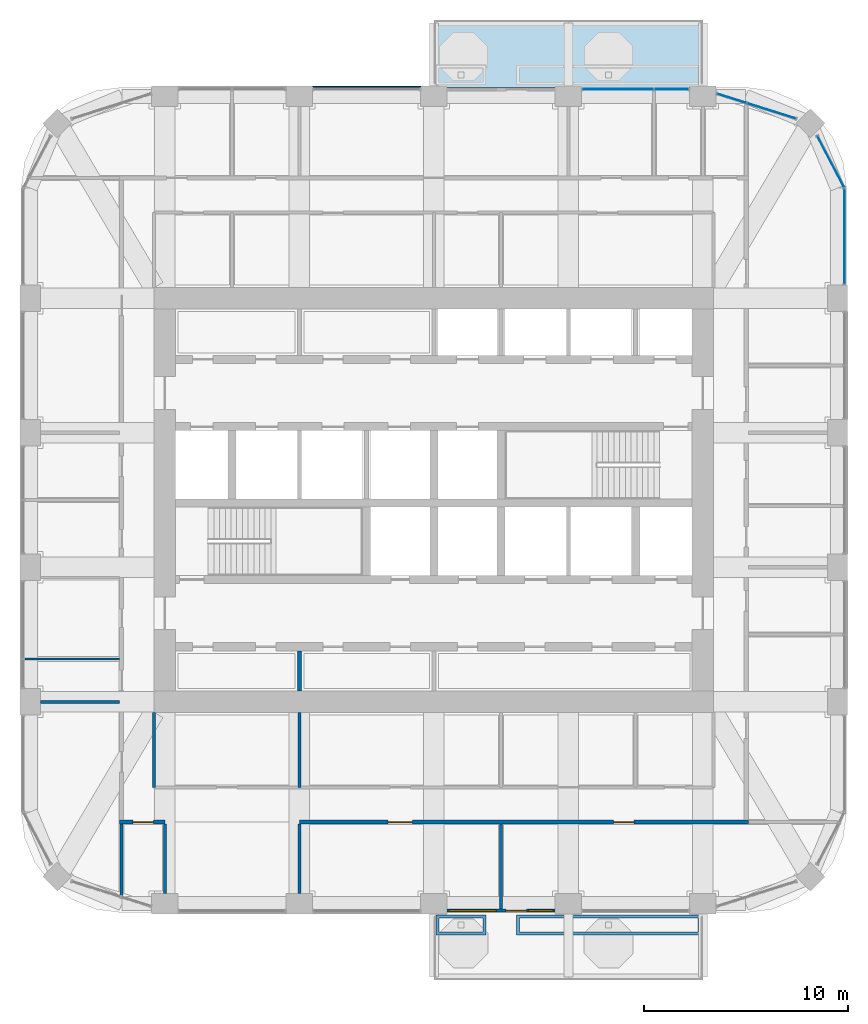
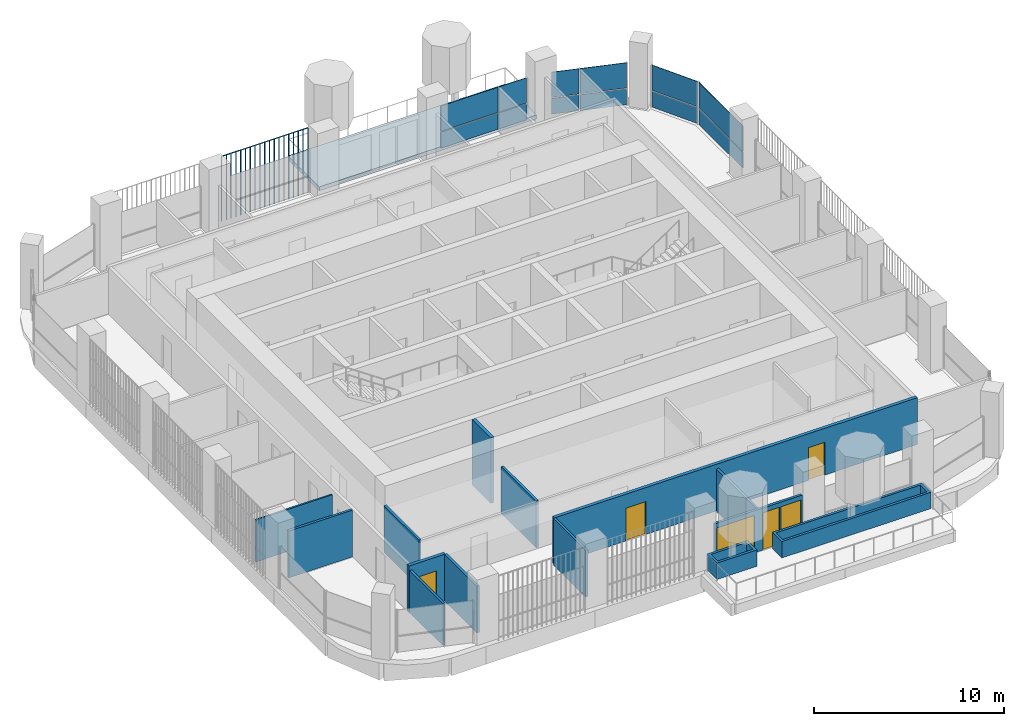
# One storey, part 13 of 21: 14 walls, 13 plates, 4 doors, 2 windows, 1 slab, 6 openings, 4 elements without a shape of their own.
"""IFC4 building model written with IfcOpenShell, lengths in metres."""

from ifc_helpers import new_model, si_unit, direction, frame, frame_2d, origin, origin_2d, place, context, subcontext, project, spatial, polyline, rectangle, outline, extrude, material, layer, layer_set, type_object, element, fill, aggregate, save


model = new_model("IFC4")

# Units and contexts
model_context = context("Model", 3, precision=1e-05, world=origin(), true_north=direction((0.0, 1.0)))
body_context = subcontext(model_context, "Body", "Model", "MODEL_VIEW")
ifc_project = project(units=[si_unit("LENGTHUNIT", "METRE"), si_unit("AREAUNIT", "SQUARE_METRE"), si_unit("VOLUMEUNIT", "CUBIC_METRE"), si_unit("PLANEANGLEUNIT", "RADIAN"), si_unit("MASSUNIT", "GRAM", prefix="KILO")], contexts=[model_context])

# Site, building, storey
site_placement = place(None, origin())
site = spatial("IfcSite", under=ifc_project, at=site_placement, CompositionType="ELEMENT")
building_placement = place(site_placement, origin())
building = spatial("IfcBuilding", under=site, at=building_placement, Name="Cobogo Forest Laboratory Tower", CompositionType="ELEMENT")
storey_placement = place(building_placement, frame((0.0, 0.0, 250.199951171875)))
storey = spatial("IfcBuildingStorey", under=building, at=storey_placement, Name="L57", CompositionType="ELEMENT", Elevation=250.199951171875)

# Slab
ifc_material_1 = material(Name="Concrete HA-40 (C40/50)", Category="concrete")
ifc_layer_1 = layer(ifc_material_1, 0.25)
ifc_layer_set_1 = layer_set([ifc_layer_1], Name="Balcony slab 250")
slab_type = type_object("IfcSlabType", Name="Balcony slab 250", PredefinedType="FLOOR", material=ifc_layer_set_1)
slab_placement = place(storey_placement, frame((0.0, 0.0, -0.25)))
element("IfcSlab", 1, at=slab_placement, inside=storey, type_object=slab_type, Name="Balcony BAL-N1 L57", PredefinedType="FLOOR", context=body_context, shape_type="SweptSolid", body=[
    extrude(outline(polyline([(26.39990234375, 43.35009765625), (39.60009765625, 43.35009765625), (39.60009765625, 46.64990234375), (26.39990234375, 46.64990234375), (26.39990234375, 43.35009765625)])), origin(), (0.0, 0.0, 1.0), 0.25),
])

# Curtain wall, plates
ifc_material_2 = material(Name="Aluminium curtain wall", Category="aluminium")
curtain_wall_type = type_object("IfcCurtainWallType", Name="CW-2 unitised curtain wall, solar control glazing, laboratory floors zones C and D", PredefinedType="USERDEFINED", material=ifc_material_2)
curtain_wall_1_placement = place(storey_placement, origin())
curtain_wall_1 = element("IfcCurtainWall", 2, at=curtain_wall_1_placement, inside=storey, type_object=curtain_wall_type, Name="Curtain wall 11 L57", ObjectType="UNITISED CURTAIN WALL", PredefinedType="USERDEFINED")
ifc_material_3 = material(Name="Solar control insulated glass", Category="glass")
ifc_layer_2 = layer(ifc_material_3, 0.031982421875)
ifc_layer_set_2 = layer_set([ifc_layer_2], Name="GP-2 solar control glass unit 32")
plate_type_1 = type_object("IfcPlateType", Name="GP-2 solar control glass unit 32", PredefinedType="CURTAIN_PANEL", material=ifc_layer_set_2)
plate_1_placement = place(storey_placement, frame((46.550048828125, 36.02490234375, 0.0), z_axis=(0.0, 0.0, 1.0), x_axis=(0.0, 1.0, 0.0)))
plate_1 = element("IfcPlate", 3, at=plate_1_placement, type_object=plate_type_1, Name="CW-2 panel 1.1", PredefinedType="CURTAIN_PANEL", context=body_context, shape_type="SweptSolid", body=[
    extrude(rectangle(XDim=4.6298828125, YDim=0.031982421875, at=origin_2d()), origin(), (0.0, 0.0, 1.0), 1.02001953125),
])
plate_2_placement = place(storey_placement, frame((46.550048828125, 36.02490234375, 1.080078125), z_axis=(0.0, 0.0, 1.0), x_axis=(0.0, 1.0, 0.0)))
plate_2 = element("IfcPlate", 4, at=plate_2_placement, type_object=plate_type_1, Name="CW-2 panel 1.2", PredefinedType="CURTAIN_PANEL", context=body_context, shape_type="SweptSolid", body=[
    extrude(rectangle(XDim=4.6298828125, YDim=0.031982421875, at=origin_2d()), origin(), (0.0, 0.0, 1.0), 1.6201171875),
])
aggregate(curtain_wall_1, [plate_1, plate_2])

curtain_wall_2_placement = place(storey_placement, origin())
curtain_wall_2 = element("IfcCurtainWall", 5, at=curtain_wall_2_placement, inside=storey, type_object=curtain_wall_type, Name="Curtain wall 12 L57", ObjectType="UNITISED CURTAIN WALL", PredefinedType="USERDEFINED")
plate_3_placement = place(storey_placement, frame((45.869140625, 39.69873046875, 0.0), z_axis=(0.0, 0.0, 1.0), x_axis=(-0.464283791352, 0.885686491422, 0.0)))
plate_3 = element("IfcPlate", 6, at=plate_3_placement, type_object=plate_type_1, Name="CW-2 panel 1.1", PredefinedType="CURTAIN_PANEL", context=body_context, shape_type="SweptSolid", body=[
    extrude(rectangle(XDim=2.812744140625, YDim=0.031982421875, at=origin_2d()), origin(), (0.0, 0.0, 1.0), 1.02001953125),
])
plate_4_placement = place(storey_placement, frame((45.869140625, 39.69873046875, 1.080078125), z_axis=(0.0, 0.0, 1.0), x_axis=(-0.464283791352, 0.885686491422, 0.0)))
plate_4 = element("IfcPlate", 7, at=plate_4_placement, type_object=plate_type_1, Name="CW-2 panel 1.2", PredefinedType="CURTAIN_PANEL", context=body_context, shape_type="SweptSolid", body=[
    extrude(rectangle(XDim=2.812744140625, YDim=0.031982421875, at=origin_2d()), origin(), (0.0, 0.0, 1.0), 1.6201171875),
])
aggregate(curtain_wall_2, [plate_3, plate_4])

curtain_wall_3_placement = place(storey_placement, origin())
curtain_wall_3 = element("IfcCurtainWall", 8, at=curtain_wall_3_placement, inside=storey, type_object=curtain_wall_type, Name="Curtain wall 13 L57", ObjectType="UNITISED CURTAIN WALL", PredefinedType="USERDEFINED")
plate_5_placement = place(storey_placement, frame((42.962646484375, 42.18798828125, 0.0), z_axis=(0.0, 0.0, 1.0), x_axis=(-0.953581386052, 0.301135418334, 0.0)))
plate_5 = element("IfcPlate", 9, at=plate_5_placement, type_object=plate_type_1, Name="CW-2 panel 1.1", PredefinedType="CURTAIN_PANEL", context=body_context, shape_type="SweptSolid", body=[
    extrude(rectangle(XDim=2.4853515625, YDim=0.031982421875, at=origin_2d()), origin(), (0.0, 0.0, 1.0), 1.02001953125),
])
plate_6_placement = place(storey_placement, frame((42.962646484375, 42.18798828125, 1.080078125), z_axis=(0.0, 0.0, 1.0), x_axis=(-0.953581386052, 0.301135418334, 0.0)))
plate_6 = element("IfcPlate", 10, at=plate_6_placement, type_object=plate_type_1, Name="CW-2 panel 1.2", PredefinedType="CURTAIN_PANEL", context=body_context, shape_type="SweptSolid", body=[
    extrude(rectangle(XDim=2.4853515625, YDim=0.031982421875, at=origin_2d()), origin(), (0.0, 0.0, 1.0), 1.6201171875),
])
plate_7_placement = place(storey_placement, frame((41.013916015625, 42.803466796875, 0.0), z_axis=(0.0, 0.0, 1.0), x_axis=(-0.953581386052, 0.301135418334, 0.0)))
plate_7 = element("IfcPlate", 11, at=plate_7_placement, type_object=plate_type_1, Name="CW-2 panel 2.1", PredefinedType="CURTAIN_PANEL", context=body_context, shape_type="SweptSolid", body=[
    extrude(rectangle(XDim=1.482177734375, YDim=0.031982421875, at=origin_2d()), origin(), (0.0, 0.0, 1.0), 1.02001953125),
])
plate_8_placement = place(storey_placement, frame((41.013916015625, 42.803466796875, 1.080078125), z_axis=(0.0, 0.0, 1.0), x_axis=(-0.953581386052, 0.301135418334, 0.0)))
plate_8 = element("IfcPlate", 12, at=plate_8_placement, type_object=plate_type_1, Name="CW-2 panel 2.2", PredefinedType="CURTAIN_PANEL", context=body_context, shape_type="SweptSolid", body=[
    extrude(rectangle(XDim=1.482177734375, YDim=0.031982421875, at=origin_2d()), origin(), (0.0, 0.0, 1.0), 1.6201171875),
])
aggregate(curtain_wall_3, [plate_5, plate_6, plate_7, plate_8])

curtain_wall_4_placement = place(storey_placement, origin())
curtain_wall_4 = element("IfcCurtainWall", 13, at=curtain_wall_4_placement, inside=storey, type_object=curtain_wall_type, Name="Curtain wall 14 L57", ObjectType="UNITISED CURTAIN WALL", PredefinedType="USERDEFINED")
plate_9_placement = place(storey_placement, frame((38.06005859375, 43.25, 0.0), z_axis=(0.0, 0.0, 1.0), x_axis=(-1.0, 0.0, 0.0)))
plate_9 = element("IfcPlate", 14, at=plate_9_placement, type_object=plate_type_1, Name="CW-2 panel 1.1", PredefinedType="CURTAIN_PANEL", context=body_context, shape_type="SweptSolid", body=[
    extrude(rectangle(XDim=1.659912109375, YDim=0.031982421875, at=origin_2d()), origin(), (0.0, 0.0, 1.0), 1.02001953125),
])
plate_10_placement = place(storey_placement, frame((38.06005859375, 43.25, 1.080078125), z_axis=(0.0, 0.0, 1.0), x_axis=(-1.0, 0.0, 0.0)))
plate_10 = element("IfcPlate", 15, at=plate_10_placement, type_object=plate_type_1, Name="CW-2 panel 1.2", PredefinedType="CURTAIN_PANEL", context=body_context, shape_type="SweptSolid", body=[
    extrude(rectangle(XDim=1.659912109375, YDim=0.031982421875, at=origin_2d()), origin(), (0.0, 0.0, 1.0), 1.6201171875),
])
plate_11_placement = place(storey_placement, frame((35.43994140625, 43.25, 0.0), z_axis=(0.0, 0.0, 1.0), x_axis=(-1.0, 0.0, 0.0)))
plate_11 = element("IfcPlate", 16, at=plate_11_placement, type_object=plate_type_1, Name="CW-2 panel 2.1", PredefinedType="CURTAIN_PANEL", context=body_context, shape_type="SweptSolid", body=[
    extrude(rectangle(XDim=3.4599609375, YDim=0.031982421875, at=origin_2d()), origin(), (0.0, 0.0, 1.0), 1.02001953125),
])
plate_12_placement = place(storey_placement, frame((35.43994140625, 43.25, 1.080078125), z_axis=(0.0, 0.0, 1.0), x_axis=(-1.0, 0.0, 0.0)))
plate_12 = element("IfcPlate", 17, at=plate_12_placement, type_object=plate_type_1, Name="CW-2 panel 2.2", PredefinedType="CURTAIN_PANEL", context=body_context, shape_type="SweptSolid", body=[
    extrude(rectangle(XDim=3.4599609375, YDim=0.031982421875, at=origin_2d()), origin(), (0.0, 0.0, 1.0), 1.6201171875),
])
aggregate(curtain_wall_4, [plate_9, plate_10, plate_11, plate_12])

# Plate
ifc_material_4 = material(Name="Terracotta", Category="masonry")
plate_type_2 = type_object("IfcPlateType", Name="TB1 terracotta baguette screen", PredefinedType="USERDEFINED", material=ifc_material_4)
plate_13_placement = place(storey_placement, frame((20.481201171875, 43.3779296875, -0.14990234375)))
element("IfcPlate", 18, at=plate_13_placement, inside=storey, type_object=plate_type_2, Name="Baguette screen N2 L57", ObjectType="BAGUETTE SCREEN", PredefinedType="USERDEFINED", context=body_context, shape_type="SweptSolid", body=[
    extrude(outline(polyline([(0.02880859375, 0.011962890625), (0.011962890625, 0.02880859375), (-0.011962890625, 0.02880859375), (-0.02880859375, 0.011962890625), (-0.02880859375, -0.011962890625), (-0.011962890625, -0.02880859375), (0.011962890625, -0.02880859375), (0.02880859375, -0.011962890625), (0.02880859375, 0.011962890625)])), frame((0.0, 0.0, 4.168701171875), z_axis=(1.0, 0.0, 0.0), x_axis=(0.0, 1.0, 0.0)), (0.0, 0.0, 1.0), 5.237548828125),
    extrude(outline(polyline([(0.02880859375, 0.011962890625), (0.011962890625, 0.02880859375), (-0.011962890625, 0.02880859375), (-0.02880859375, 0.011962890625), (-0.02880859375, -0.011962890625), (-0.011962890625, -0.02880859375), (0.011962890625, -0.02880859375), (0.02880859375, -0.011962890625), (0.02880859375, 0.011962890625)])), origin(), (0.0, 0.0, 1.0), 4.137451171875),
    extrude(outline(polyline([(0.02880859375, 0.011962890625), (0.011962890625, 0.02880859375), (-0.011962890625, 0.02880859375), (-0.02880859375, 0.011962890625), (-0.02880859375, -0.011962890625), (-0.011962890625, -0.02880859375), (0.011962890625, -0.02880859375), (0.02880859375, -0.011962890625), (0.02880859375, 0.011962890625)])), frame((0.291015625, 0.0, 0.0)), (0.0, 0.0, 1.0), 4.137451171875),
    extrude(outline(polyline([(0.02880859375, 0.011962890625), (0.011962890625, 0.02880859375), (-0.011962890625, 0.02880859375), (-0.02880859375, 0.011962890625), (-0.02880859375, -0.011962890625), (-0.011962890625, -0.02880859375), (0.011962890625, -0.02880859375), (0.02880859375, -0.011962890625), (0.02880859375, 0.011962890625)])), frame((0.58203125, 0.0, 0.0)), (0.0, 0.0, 1.0), 4.137451171875),
    extrude(outline(polyline([(0.02880859375, 0.011962890625), (0.011962890625, 0.02880859375), (-0.011962890625, 0.02880859375), (-0.02880859375, 0.011962890625), (-0.02880859375, -0.011962890625), (-0.011962890625, -0.02880859375), (0.011962890625, -0.02880859375), (0.02880859375, -0.011962890625), (0.02880859375, 0.011962890625)])), frame((0.873046875, 0.0, 0.0)), (0.0, 0.0, 1.0), 4.137451171875),
    extrude(outline(polyline([(0.02880859375, 0.011962890625), (0.011962890625, 0.02880859375), (-0.011962890625, 0.02880859375), (-0.02880859375, 0.011962890625), (-0.02880859375, -0.011962890625), (-0.011962890625, -0.02880859375), (0.011962890625, -0.02880859375), (0.02880859375, -0.011962890625), (0.02880859375, 0.011962890625)])), frame((1.163818359375, 0.0, 0.0)), (0.0, 0.0, 1.0), 4.137451171875),
    extrude(outline(polyline([(0.02880859375, 0.011962890625), (0.011962890625, 0.02880859375), (-0.011962890625, 0.02880859375), (-0.02880859375, 0.011962890625), (-0.02880859375, -0.011962890625), (-0.011962890625, -0.02880859375), (0.011962890625, -0.02880859375), (0.02880859375, -0.011962890625), (0.02880859375, 0.011962890625)])), frame((1.454833984375, 0.0, 0.0)), (0.0, 0.0, 1.0), 4.137451171875),
    extrude(outline(polyline([(0.02880859375, 0.011962890625), (0.011962890625, 0.02880859375), (-0.011962890625, 0.02880859375), (-0.02880859375, 0.011962890625), (-0.02880859375, -0.011962890625), (-0.011962890625, -0.02880859375), (0.011962890625, -0.02880859375), (0.02880859375, -0.011962890625), (0.02880859375, 0.011962890625)])), frame((1.745849609375, 0.0, 0.0)), (0.0, 0.0, 1.0), 4.137451171875),
    extrude(outline(polyline([(0.02880859375, 0.011962890625), (0.011962890625, 0.02880859375), (-0.011962890625, 0.02880859375), (-0.02880859375, 0.011962890625), (-0.02880859375, -0.011962890625), (-0.011962890625, -0.02880859375), (0.011962890625, -0.02880859375), (0.02880859375, -0.011962890625), (0.02880859375, 0.011962890625)])), frame((2.036865234375, 0.0, 0.0)), (0.0, 0.0, 1.0), 4.137451171875),
    extrude(outline(polyline([(0.02880859375, 0.011962890625), (0.011962890625, 0.02880859375), (-0.011962890625, 0.02880859375), (-0.02880859375, 0.011962890625), (-0.02880859375, -0.011962890625), (-0.011962890625, -0.02880859375), (0.011962890625, -0.02880859375), (0.02880859375, -0.011962890625), (0.02880859375, 0.011962890625)])), frame((2.327880859375, 0.0, 0.0)), (0.0, 0.0, 1.0), 4.137451171875),
    extrude(outline(polyline([(0.02880859375, 0.011962890625), (0.011962890625, 0.02880859375), (-0.011962890625, 0.02880859375), (-0.02880859375, 0.011962890625), (-0.02880859375, -0.011962890625), (-0.011962890625, -0.02880859375), (0.011962890625, -0.02880859375), (0.02880859375, -0.011962890625), (0.02880859375, 0.011962890625)])), frame((2.61865234375, 0.0, 0.0)), (0.0, 0.0, 1.0), 4.137451171875),
    extrude(outline(polyline([(0.02880859375, 0.011962890625), (0.011962890625, 0.02880859375), (-0.011962890625, 0.02880859375), (-0.02880859375, 0.011962890625), (-0.02880859375, -0.011962890625), (-0.011962890625, -0.02880859375), (0.011962890625, -0.02880859375), (0.02880859375, -0.011962890625), (0.02880859375, 0.011962890625)])), frame((2.90966796875, 0.0, 0.0)), (0.0, 0.0, 1.0), 4.137451171875),
    extrude(outline(polyline([(0.02880859375, 0.011962890625), (0.011962890625, 0.02880859375), (-0.011962890625, 0.02880859375), (-0.02880859375, 0.011962890625), (-0.02880859375, -0.011962890625), (-0.011962890625, -0.02880859375), (0.011962890625, -0.02880859375), (0.02880859375, -0.011962890625), (0.02880859375, 0.011962890625)])), frame((3.20068359375, 0.0, 0.0)), (0.0, 0.0, 1.0), 4.137451171875),
    extrude(outline(polyline([(0.02880859375, 0.011962890625), (0.011962890625, 0.02880859375), (-0.011962890625, 0.02880859375), (-0.02880859375, 0.011962890625), (-0.02880859375, -0.011962890625), (-0.011962890625, -0.02880859375), (0.011962890625, -0.02880859375), (0.02880859375, -0.011962890625), (0.02880859375, 0.011962890625)])), frame((3.49169921875, 0.0, 0.0)), (0.0, 0.0, 1.0), 4.137451171875),
    extrude(outline(polyline([(0.02880859375, 0.011962890625), (0.011962890625, 0.02880859375), (-0.011962890625, 0.02880859375), (-0.02880859375, 0.011962890625), (-0.02880859375, -0.011962890625), (-0.011962890625, -0.02880859375), (0.011962890625, -0.02880859375), (0.02880859375, -0.011962890625), (0.02880859375, 0.011962890625)])), frame((3.78271484375, 0.0, 0.0)), (0.0, 0.0, 1.0), 4.137451171875),
    extrude(outline(polyline([(0.02880859375, 0.011962890625), (0.011962890625, 0.02880859375), (-0.011962890625, 0.02880859375), (-0.02880859375, 0.011962890625), (-0.02880859375, -0.011962890625), (-0.011962890625, -0.02880859375), (0.011962890625, -0.02880859375), (0.02880859375, -0.011962890625), (0.02880859375, 0.011962890625)])), frame((4.07373046875, 0.0, 0.0)), (0.0, 0.0, 1.0), 4.137451171875),
    extrude(outline(polyline([(0.02880859375, 0.011962890625), (0.011962890625, 0.02880859375), (-0.011962890625, 0.02880859375), (-0.02880859375, 0.011962890625), (-0.02880859375, -0.011962890625), (-0.011962890625, -0.02880859375), (0.011962890625, -0.02880859375), (0.02880859375, -0.011962890625), (0.02880859375, 0.011962890625)])), frame((4.36474609375, 0.0, 0.0)), (0.0, 0.0, 1.0), 4.137451171875),
    extrude(outline(polyline([(0.02880859375, 0.011962890625), (0.011962890625, 0.02880859375), (-0.011962890625, 0.02880859375), (-0.02880859375, 0.011962890625), (-0.02880859375, -0.011962890625), (-0.011962890625, -0.02880859375), (0.011962890625, -0.02880859375), (0.02880859375, -0.011962890625), (0.02880859375, 0.011962890625)])), frame((4.655517578125, 0.0, 0.0)), (0.0, 0.0, 1.0), 4.137451171875),
    extrude(outline(polyline([(0.02880859375, 0.011962890625), (0.011962890625, 0.02880859375), (-0.011962890625, 0.02880859375), (-0.02880859375, 0.011962890625), (-0.02880859375, -0.011962890625), (-0.011962890625, -0.02880859375), (0.011962890625, -0.02880859375), (0.02880859375, -0.011962890625), (0.02880859375, 0.011962890625)])), frame((4.946533203125, 0.0, 0.0)), (0.0, 0.0, 1.0), 4.137451171875),
    extrude(outline(polyline([(0.02880859375, 0.011962890625), (0.011962890625, 0.02880859375), (-0.011962890625, 0.02880859375), (-0.02880859375, 0.011962890625), (-0.02880859375, -0.011962890625), (-0.011962890625, -0.02880859375), (0.011962890625, -0.02880859375), (0.02880859375, -0.011962890625), (0.02880859375, 0.011962890625)])), frame((5.237548828125, 0.0, 0.0)), (0.0, 0.0, 1.0), 4.137451171875),
])

# Wall, openings, door, windows
ifc_material_5 = material(Name="Aluminium framed glazed screen", Category="aluminium")
ifc_layer_3 = layer(ifc_material_5, 0.14990234375)
ifc_layer_set_3 = layer_set([ifc_layer_3], Name="GS1 glazed door screen 150")
wall_type_1 = type_object("IfcWallType", Name="GS1 glazed door screen 150", PredefinedType="SOLIDWALL", material=ifc_layer_set_3)
wall_1_placement = place(storey_placement, frame((27.050048828125, 2.949951171875, 0.0), z_axis=(0.0, 0.0, 1.0), x_axis=(1.0, 0.0, 0.0)))
wall_1 = element("IfcWall", 19, at=wall_1_placement, inside=storey, type_object=wall_type_1, Name="Door screen BAL-S1 L57", PredefinedType="SOLIDWALL", context=body_context, shape_type="SweptSolid", body=[
    extrude(rectangle(XDim=5.300048828125, YDim=0.14990234375, at=frame_2d((2.64990234375, 0.0))), origin(), (0.0, 0.0, 1.0), 2.699951171875),
])
opening_1_placement = place(wall_1_placement, frame((2.89990234375, 0.0, 0.0)))
opening_1 = element("IfcOpeningElement", 20, at=opening_1_placement, cuts=wall_1, Name="Opening L57-D01", PredefinedType="OPENING", context=body_context, shape_type="SweptSolid", body=[
    extrude(rectangle(XDim=1.0, YDim=2.39990234375, at=frame_2d((0.5, 1.199951171875))), frame((0.0, 0.0849609375, 0.0), z_axis=(0.0, -1.0, 0.0), x_axis=(1.0, 0.0, 0.0)), (0.0, 0.0, 1.0), 0.169921875),
])
opening_2_placement = place(wall_1_placement, frame((0.10009765625, 0.0, 0.10009765625)))
opening_2 = element("IfcOpeningElement", 21, at=opening_2_placement, cuts=wall_1, Name="Opening L57-W01", PredefinedType="OPENING", context=body_context, shape_type="SweptSolid", body=[
    extrude(rectangle(XDim=2.300048828125, YDim=2.300048828125, at=frame_2d((1.14990234375, 1.14990234375))), frame((0.0, 0.0849609375, 0.0), z_axis=(0.0, -1.0, 0.0), x_axis=(1.0, 0.0, 0.0)), (0.0, 0.0, 1.0), 0.169921875),
])
opening_3_placement = place(wall_1_placement, frame((4.0, 0.0, 0.10009765625)))
opening_3 = element("IfcOpeningElement", 22, at=opening_3_placement, cuts=wall_1, Name="Opening L57-W02", PredefinedType="OPENING", context=body_context, shape_type="SweptSolid", body=[
    extrude(rectangle(XDim=1.199951171875, YDim=2.300048828125, at=frame_2d((0.60009765625, 1.14990234375))), frame((0.0, 0.0849609375, 0.0), z_axis=(0.0, -1.0, 0.0), x_axis=(1.0, 0.0, 0.0)), (0.0, 0.0, 1.0), 0.169921875),
])
ifc_material_6 = material(Name="Aluminium glazed door", Category="aluminium")
door_type_1 = type_object("IfcDoorType", Name="DB1 balcony door 1000 glazed", OperationType="SINGLE_SWING_LEFT", PredefinedType="DOOR", material=ifc_material_6)
door_1_placement = place(opening_1_placement, origin())
door_1 = element("IfcDoor", 23, at=door_1_placement, inside=storey, type_object=door_type_1, Name="Door L57-BAL-S1", OperationType="SINGLE_SWING_RIGHT", OverallHeight=2.39990234375, OverallWidth=1.0, PredefinedType="DOOR", context=body_context, shape_type="SweptSolid", body=[
    extrude(rectangle(XDim=1.0, YDim=2.39990234375, at=frame_2d((0.5, 1.199951171875))), frame((0.0, 0.02490234375, 0.0), z_axis=(0.0, -1.0, 0.0), x_axis=(1.0, 0.0, 0.0)), (0.0, 0.0, 1.0), 0.050048828125),
])
fill(opening_1, door_1)
ifc_material_7 = material(Name="Aluminium framed glazing", Category="aluminium")
window_type_1 = type_object("IfcWindowType", Name="WG21 fixed glazed light 2300x2300", PartitioningType="SINGLE_PANEL", PredefinedType="WINDOW", material=ifc_material_7)
window_1_placement = place(opening_2_placement, origin())
window_1 = element("IfcWindow", 24, at=window_1_placement, inside=storey, type_object=window_type_1, Name="Window L57-BAL-S1-1", OverallHeight=2.300048828125, OverallWidth=2.300048828125, PartitioningType="SINGLE_PANEL", PredefinedType="WINDOW", context=body_context, shape_type="SweptSolid", body=[
    extrude(rectangle(XDim=2.300048828125, YDim=2.300048828125, at=frame_2d((1.14990234375, 1.14990234375))), frame((0.0, 0.030029296875, 0.0), z_axis=(0.0, -1.0, 0.0), x_axis=(1.0, 0.0, 0.0)), (0.0, 0.0, 1.0), 0.06005859375),
])
fill(opening_2, window_1)
window_type_2 = type_object("IfcWindowType", Name="WG22 fixed glazed light 1200x2300", PartitioningType="SINGLE_PANEL", PredefinedType="WINDOW", material=ifc_material_7)
window_2_placement = place(opening_3_placement, origin())
window_2 = element("IfcWindow", 25, at=window_2_placement, inside=storey, type_object=window_type_2, Name="Window L57-BAL-S1-2", OverallHeight=2.300048828125, OverallWidth=1.199951171875, PartitioningType="SINGLE_PANEL", PredefinedType="WINDOW", context=body_context, shape_type="SweptSolid", body=[
    extrude(rectangle(XDim=1.199951171875, YDim=2.300048828125, at=frame_2d((0.60009765625, 1.14990234375))), frame((0.0, 0.030029296875, 0.0), z_axis=(0.0, -1.0, 0.0), x_axis=(1.0, 0.0, 0.0)), (0.0, 0.0, 1.0), 0.06005859375),
])
fill(opening_3, window_2)

# Walls
ifc_material_8 = material(Name="Gypsum board on steel studs", Category="steel")
ifc_layer_4 = layer(ifc_material_8, 0.14990234375)
ifc_layer_set_4 = layer_set([ifc_layer_4], Name="PT1 laboratory partition 150")
wall_type_2 = type_object("IfcWallType", Name="PT1 laboratory partition 150", PredefinedType="PARTITIONING", material=ifc_layer_set_4)
for number, where, z_axis, x_axis, name in (
    (26, (12.675048828125, 12.675048828125, 0.0), (0.0, 0.0, 1.0), (0.0, -1.0, 0.0), "Partition CSTRIP-SW L57"),
    (27, (19.800048828125, 12.675048828125, 0.0), (0.0, 0.0, 1.0), (0.0, -1.0, 0.0), "Partition CSTRIP-S19.8 L57"),
):
    element("IfcWall", number, at=place(storey_placement, frame(where, z_axis=z_axis, x_axis=x_axis)), inside=storey, type_object=wall_type_2, Name=name, PredefinedType="PARTITIONING", context=body_context, shape_type="SweptSolid", body=[
        extrude(rectangle(XDim=3.675048828125, YDim=0.14990234375, at=frame_2d((1.83740234375, 0.0))), origin(), (0.0, 0.0, 1.0), 3.0),
    ])
wall_2_placement = place(storey_placement, frame((11.074951171875, 3.705078125, 0.0), z_axis=(0.0, 0.0, 1.0), x_axis=(0.0, 1.0, 0.0)))
element("IfcWall", 28, at=wall_2_placement, inside=storey, type_object=wall_type_2, Name="Partition PW-SW L57", PredefinedType="PARTITIONING", context=body_context, shape_type="SweptSolid", body=[
    extrude(rectangle(XDim=3.494873046875, YDim=0.14990234375, at=frame_2d((1.74755859375, 0.0))), origin(), (0.0, 0.0, 1.0), 2.699951171875),
])
for number, where, z_axis, x_axis, name in (
    (29, (13.199951171875, 3.800048828125, 0.0), (0.0, 0.0, 1.0), (0.0, 1.0, 0.0), "Partition CUT-S13.2-1 L57"),
    (30, (19.800048828125, 3.800048828125, 0.0), (0.0, 0.0, 1.0), (0.0, 1.0, 0.0), "Partition CUT-S19.8-1 L57"),
):
    element("IfcWall", number, at=place(storey_placement, frame(where, z_axis=z_axis, x_axis=x_axis)), inside=storey, type_object=wall_type_2, Name=name, PredefinedType="PARTITIONING", context=body_context, shape_type="SweptSolid", body=[
        extrude(rectangle(XDim=3.39990234375, YDim=0.14990234375, at=frame_2d((1.699951171875, 0.0))), origin(), (0.0, 0.0, 1.0), 3.0),
    ])
wall_3_placement = place(storey_placement, frame((29.699951171875, 3.030029296875, 0.0), z_axis=(0.0, 0.0, 1.0), x_axis=(0.0, 1.0, 0.0)))
element("IfcWall", 31, at=wall_3_placement, inside=storey, type_object=wall_type_2, Name="Partition CUT-S29.7-1 L57", PredefinedType="PARTITIONING", context=body_context, shape_type="SweptSolid", body=[
    extrude(rectangle(XDim=4.169921875, YDim=0.14990234375, at=frame_2d((2.0849609375, 0.0))), origin(), (0.0, 0.0, 1.0), 2.699951171875),
])
wall_4_placement = place(storey_placement, frame((7.10009765625, 13.199951171875, 0.0), z_axis=(0.0, 0.0, 1.0), x_axis=(1.0, 0.0, 0.0)))
element("IfcWall", 32, at=wall_4_placement, inside=storey, type_object=wall_type_2, Name="Partition CUT-W13.2-1 L57", PredefinedType="PARTITIONING", context=body_context, shape_type="SweptSolid", body=[
    extrude(rectangle(XDim=3.875, YDim=0.14990234375, at=frame_2d((1.9375, 0.0))), origin(), (0.0, 0.0, 1.0), 3.0),
])

# Wall, opening, door
ifc_layer_5 = layer(ifc_material_8, 0.199951171875)
ifc_layer_set_5 = layer_set([ifc_layer_5], Name="PT2 fire-rated corridor partition 200")
wall_type_3 = type_object("IfcWallType", Name="PT2 fire-rated corridor partition 200", PredefinedType="PARTITIONING", material=ifc_layer_set_5)
wall_5_placement = place(storey_placement, frame((10.97509765625, 7.300048828125, 0.0), z_axis=(0.0, 0.0, 1.0), x_axis=(1.0, 0.0, 0.0)))
wall_5 = element("IfcWall", 33, at=wall_5_placement, inside=storey, type_object=wall_type_3, Name="Partition CORR-S-1 L57", PredefinedType="PARTITIONING", context=body_context, shape_type="SweptSolid", body=[
    extrude(rectangle(XDim=2.224853515625, YDim=0.199951171875, at=frame_2d((1.1123046875, 0.0))), origin(), (0.0, 0.0, 1.0), 3.0),
])
opening_4_placement = place(wall_5_placement, frame((0.66259765625, 0.0, 0.0)))
opening_4 = element("IfcOpeningElement", 34, at=opening_4_placement, cuts=wall_5, Name="Opening L57-D02", PredefinedType="OPENING", context=body_context, shape_type="SweptSolid", body=[
    extrude(rectangle(XDim=1.0, YDim=2.10009765625, at=frame_2d((0.5, 1.050048828125))), frame((0.0, 0.10986328125, 0.0), z_axis=(0.0, -1.0, 0.0), x_axis=(1.0, 0.0, 0.0)), (0.0, 0.0, 1.0), 0.219970703125),
])
ifc_material_9 = material(Name="Timber fire door", Category="wood")
door_type_2 = type_object("IfcDoorType", Name="FD2 fire door 1000 EI2 30", OperationType="SINGLE_SWING_LEFT", PredefinedType="DOOR", material=ifc_material_9)
door_2_placement = place(opening_4_placement, origin())
door_2 = element("IfcDoor", 35, at=door_2_placement, inside=storey, type_object=door_type_2, Name="Door L57-S1", OperationType="SINGLE_SWING_RIGHT", OverallHeight=2.10009765625, OverallWidth=1.0, PredefinedType="DOOR", context=body_context, shape_type="SweptSolid", body=[
    extrude(rectangle(XDim=1.0, YDim=2.10009765625, at=frame_2d((0.5, 1.050048828125))), frame((0.0, 0.02490234375, 0.0), z_axis=(0.0, -1.0, 0.0), x_axis=(1.0, 0.0, 0.0)), (0.0, 0.0, 1.0), 0.050048828125),
])
fill(opening_4, door_2)

# Wall, openings, doors
wall_6_placement = place(storey_placement, frame((19.800048828125, 7.300048828125, 0.0), z_axis=(0.0, 0.0, 1.0), x_axis=(1.0, 0.0, 0.0)))
wall_6 = element("IfcWall", 36, at=wall_6_placement, inside=storey, type_object=wall_type_3, Name="Partition CORR-S-2 L57", PredefinedType="PARTITIONING", context=body_context, shape_type="SweptSolid", body=[
    extrude(rectangle(XDim=22.02490234375, YDim=0.199951171875, at=frame_2d((11.012451171875, 0.0))), origin(), (0.0, 0.0, 1.0), 3.0),
])
opening_5_placement = place(wall_6_placement, frame((4.35009765625, 0.0, 0.0)))
opening_5 = element("IfcOpeningElement", 37, at=opening_5_placement, cuts=wall_6, Name="Opening L57-D03", PredefinedType="OPENING", context=body_context, shape_type="SweptSolid", body=[
    extrude(rectangle(XDim=1.199951171875, YDim=2.10009765625, at=frame_2d((0.60009765625, 1.050048828125))), frame((0.0, 0.10986328125, 0.0), z_axis=(0.0, -1.0, 0.0), x_axis=(1.0, 0.0, 0.0)), (0.0, 0.0, 1.0), 0.219970703125),
])
opening_6_placement = place(wall_6_placement, frame((15.41259765625, 0.0, 0.0)))
opening_6 = element("IfcOpeningElement", 38, at=opening_6_placement, cuts=wall_6, Name="Opening L57-D04", PredefinedType="OPENING", context=body_context, shape_type="SweptSolid", body=[
    extrude(rectangle(XDim=1.0, YDim=2.10009765625, at=frame_2d((0.5, 1.050048828125))), frame((0.0, 0.10986328125, 0.0), z_axis=(0.0, -1.0, 0.0), x_axis=(1.0, 0.0, 0.0)), (0.0, 0.0, 1.0), 0.219970703125),
])
ifc_material_10 = material(Name="Timber door", Category="wood")
door_type_3 = type_object("IfcDoorType", Name="D2 laboratory door 1200 unequal pair", OperationType="DOUBLE_DOOR_SINGLE_SWING", PredefinedType="DOOR", material=ifc_material_10)
door_3_placement = place(opening_5_placement, origin())
door_3 = element("IfcDoor", 39, at=door_3_placement, inside=storey, type_object=door_type_3, Name="Door L57-S3", OperationType="DOUBLE_DOOR_SINGLE_SWING", OverallHeight=2.10009765625, OverallWidth=1.199951171875, PredefinedType="DOOR", context=body_context, shape_type="SweptSolid", body=[
    extrude(rectangle(XDim=1.199951171875, YDim=2.10009765625, at=frame_2d((0.60009765625, 1.050048828125))), frame((0.0, 0.02490234375, 0.0), z_axis=(0.0, -1.0, 0.0), x_axis=(1.0, 0.0, 0.0)), (0.0, 0.0, 1.0), 0.050048828125),
])
fill(opening_5, door_3)
door_4_placement = place(opening_6_placement, origin())
door_4 = element("IfcDoor", 40, at=door_4_placement, inside=storey, type_object=door_type_2, Name="Door L57-S4", OperationType="SINGLE_SWING_RIGHT", OverallHeight=2.10009765625, OverallWidth=1.0, PredefinedType="DOOR", context=body_context, shape_type="SweptSolid", body=[
    extrude(rectangle(XDim=1.0, YDim=2.10009765625, at=frame_2d((0.5, 1.050048828125))), frame((0.0, 0.02490234375, 0.0), z_axis=(0.0, -1.0, 0.0), x_axis=(1.0, 0.0, 0.0)), (0.0, 0.0, 1.0), 0.050048828125),
])
fill(opening_6, door_4)

# Walls
ifc_layer_6 = layer(ifc_material_8, 0.10009765625)
ifc_layer_set_6 = layer_set([ifc_layer_6], Name="PT3 toilet partition 100")
wall_type_4 = type_object("IfcWallType", Name="PT3 toilet partition 100", PredefinedType="PARTITIONING", material=ifc_layer_set_6)
wall_7_placement = place(storey_placement, frame((6.330078125, 15.300048828125, 0.0), z_axis=(0.0, 0.0, 1.0), x_axis=(1.0, 0.0, 0.0)))
element("IfcWall", 41, at=wall_7_placement, inside=storey, type_object=wall_type_4, Name="Partition SVC-W1-1 L57", PredefinedType="PARTITIONING", context=body_context, shape_type="SweptSolid", body=[
    extrude(rectangle(XDim=4.64501953125, YDim=0.10009765625, at=frame_2d((2.322509765625, 0.0))), origin(), (0.0, 0.0, 1.0), 2.699951171875),
])
ifc_layer_7 = layer(ifc_material_1, 0.14990234375)
ifc_layer_set_7 = layer_set([ifc_layer_7], Name="Planter box 1000x1050")
wall_type_5 = type_object("IfcWallType", Name="Planter box 1000x1050", PredefinedType="USERDEFINED", material=ifc_layer_set_7)
wall_8_placement = place(storey_placement, origin())
element("IfcWall", 42, at=wall_8_placement, inside=storey, type_object=wall_type_5, Name="Planter BAL-S1-1 L57", ObjectType="PLANTER", PredefinedType="USERDEFINED", context=body_context, shape_type="SweptSolid", body=[
    extrude(outline(polyline([(26.5, 1.75), (28.949951171875, 1.75), (28.949951171875, 2.75), (26.5, 2.75), (26.5, 1.75)]), holes=[polyline([(26.64990234375, 1.89990234375), (28.800048828125, 1.89990234375), (28.800048828125, 2.60009765625), (26.64990234375, 2.60009765625), (26.64990234375, 1.89990234375)])]), origin(), (0.0, 0.0, 1.0), 1.050048828125),
])
wall_9_placement = place(storey_placement, origin())
element("IfcWall", 43, at=wall_9_placement, inside=storey, type_object=wall_type_5, Name="Planter BAL-S1-2 L57", ObjectType="PLANTER", PredefinedType="USERDEFINED", context=body_context, shape_type="SweptSolid", body=[
    extrude(outline(polyline([(30.449951171875, 1.75), (39.5, 1.75), (39.5, 2.75), (30.449951171875, 2.75), (30.449951171875, 1.75)]), holes=[polyline([(30.60009765625, 1.89990234375), (39.35009765625, 1.89990234375), (39.35009765625, 2.60009765625), (30.60009765625, 2.60009765625), (30.60009765625, 1.89990234375)])]), origin(), (0.0, 0.0, 1.0), 1.050048828125),
])
ifc_material_11 = material(Name="Concrete block", Category="concrete")
ifc_layer_8 = layer(ifc_material_11, 0.199951171875)
ifc_layer_set_8 = layer_set([ifc_layer_8], Name="SW200 lift shaft separator 200")
wall_type_6 = type_object("IfcWallType", Name="SW200 lift shaft separator 200", PredefinedType="PARTITIONING", material=ifc_layer_set_8)
wall_10_placement = place(storey_placement, frame((19.800048828125, 13.72509765625, 0.0), z_axis=(0.0, 0.0, 1.0), x_axis=(0.0, 1.0, 0.0)))
element("IfcWall", 44, at=wall_10_placement, inside=storey, type_object=wall_type_6, Name="Core wall SEP-S2 L57", PredefinedType="PARTITIONING", context=body_context, shape_type="SweptSolid", body=[
    extrude(rectangle(XDim=1.974853515625, YDim=0.199951171875, at=frame_2d((0.9873046875, 0.0))), origin(), (0.0, 0.0, 1.0), 4.199951171875),
])

save(model, "model.ifc")
